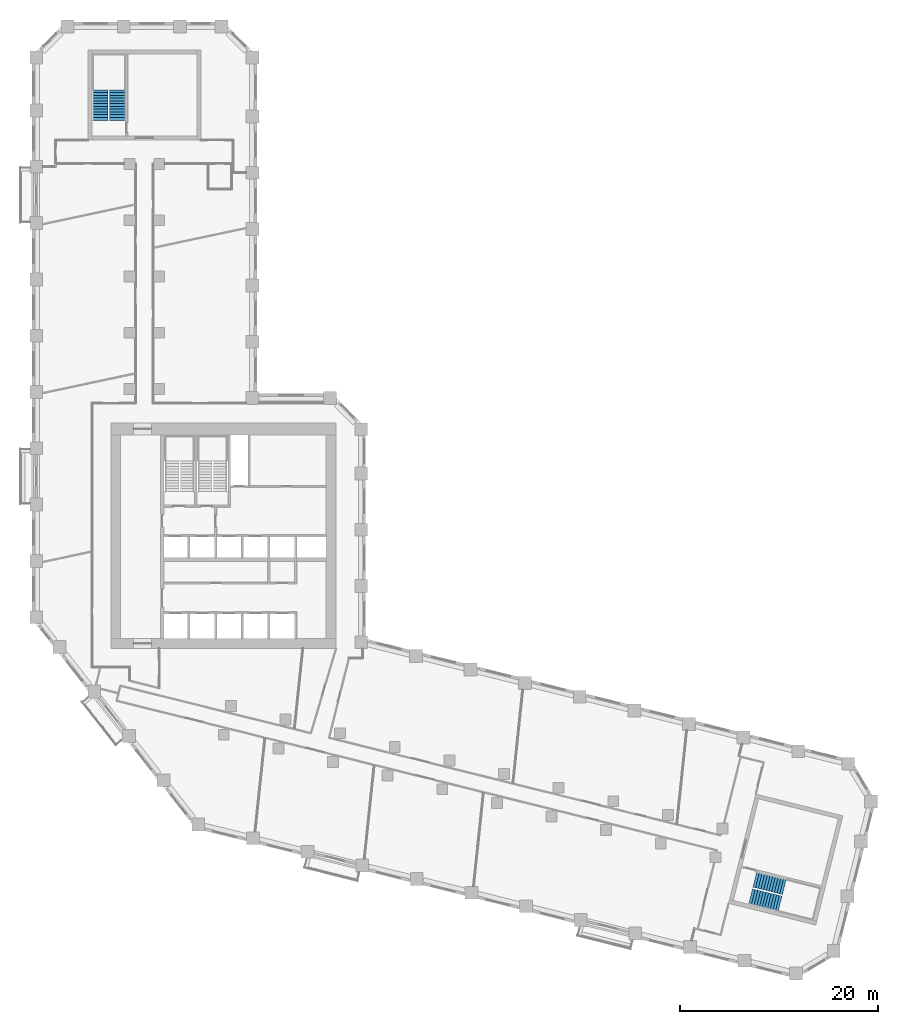
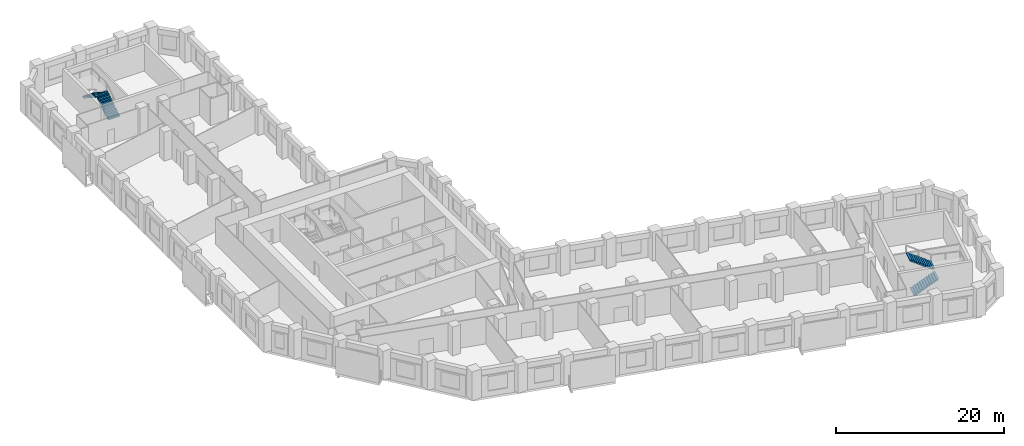
# One storey, part 10 of 11: 4 stair flights, 2 elements without a shape of their own.
"""IFC4 building model written with IfcOpenShell, lengths in metres."""

from ifc_helpers import new_model, si_unit, direction, frame, origin, place, context, subcontext, project, spatial, polyline, outline, extrude, material, type_object, element, aggregate, save


model = new_model("IFC4")

# Units and contexts
model_context = context("Model", 3, precision=1e-05, world=origin(), true_north=direction((0.0, 1.0)))
body_context = subcontext(model_context, "Body", "Model", "MODEL_VIEW")
ifc_project = project(units=[si_unit("LENGTHUNIT", "METRE"), si_unit("AREAUNIT", "SQUARE_METRE"), si_unit("VOLUMEUNIT", "CUBIC_METRE"), si_unit("PLANEANGLEUNIT", "RADIAN"), si_unit("MASSUNIT", "GRAM", prefix="KILO")], contexts=[model_context])

# Site, building, storey
site_placement = place(None, origin())
site = spatial("IfcSite", under=ifc_project, at=site_placement, CompositionType="ELEMENT")
building_placement = place(site_placement, origin())
building = spatial("IfcBuilding", under=site, at=building_placement, Name="Meshkara Civic Tower", CompositionType="ELEMENT")
storey_placement = place(building_placement, frame((0.0, 0.0, 135.0)))
storey = spatial("IfcBuildingStorey", under=building, at=storey_placement, Name="L30", CompositionType="ELEMENT", Elevation=135.0)

# Stair, stair flights
ifc_material_1 = material(Name="Precast concrete C40/50", Category="concrete")
stair_type = type_object("IfcStairType", Name="Exit stair half-turn 24 risers 1600 precast", PredefinedType="HALF_TURN_STAIR", material=ifc_material_1)
stair_1_placement = place(storey_placement, origin())
stair_1 = element("IfcStair", 1, at=stair_1_placement, inside=storey, type_object=stair_type, Name="L30 exit stair A from L20", PredefinedType="HALF_TURN_STAIR")
ifc_material_2 = material(Name="Precast concrete C40/50", Category="concrete")
stair_flight_type = type_object("IfcStairFlightType", Name="Exit stair flight 12 risers 1600 precast", PredefinedType="STRAIGHT", material=ifc_material_2)
stair_flight_1_placement = place(storey_placement, frame((8.675048828125, 67.570068359375, 0.0), z_axis=(0.0, 0.0, 1.0), x_axis=(0.0, 1.0, 0.0)))
stair_flight_1 = element("IfcStairFlight", 2, at=stair_flight_1_placement, type_object=stair_flight_type, Name="ESA2 flight 1", NumberOfRisers=12, NumberOfTreads=11, PredefinedType="STRAIGHT", RiserHeight=0.175, TreadLength=0.28, context=body_context, shape_type="SweptSolid", body=[
    extrude(outline(polyline([(0.0, 0.0), (0.0, 0.175048828125), (0.280029296875, 0.175048828125), (0.280029296875, 0.35009765625), (0.56005859375, 0.35009765625), (0.56005859375, 0.52490234375), (0.840087890625, 0.52490234375), (0.840087890625, 0.699951171875), (1.1201171875, 0.699951171875), (1.1201171875, 0.875), (1.39990234375, 0.875), (1.39990234375, 1.050048828125), (1.679931640625, 1.050048828125), (1.679931640625, 1.22509765625), (1.9599609375, 1.22509765625), (1.9599609375, 1.39990234375), (2.239990234375, 1.39990234375), (2.239990234375, 1.574951171875), (2.52001953125, 1.574951171875), (2.52001953125, 1.75), (2.800048828125, 1.75), (2.800048828125, 1.925048828125), (3.080078125, 1.925048828125), (3.080078125, 2.10009765625), (3.080078125, 1.748291015625), (0.28271484375, 0.0), (0.0, 0.0)])), frame((0.0, 0.800048828125, 0.0), z_axis=(0.0, -1.0, 0.0), x_axis=(1.0, 0.0, 0.0)), (0.0, 0.0, 1.0), 1.60009765625),
])
stair_flight_2_placement = place(storey_placement, frame((6.925048828125, 70.64990234375, 2.10009765625), z_axis=(0.0, 0.0, 1.0), x_axis=(0.0, -1.0, 0.0)))
stair_flight_2 = element("IfcStairFlight", 3, at=stair_flight_2_placement, type_object=stair_flight_type, Name="ESA2 flight 2", NumberOfRisers=12, NumberOfTreads=11, PredefinedType="STRAIGHT", RiserHeight=0.175, TreadLength=0.28, context=body_context, shape_type="SweptSolid", body=[
    extrude(outline(polyline([(0.0, 0.0), (0.0, 0.175048828125), (0.280029296875, 0.175048828125), (0.280029296875, 0.35009765625), (0.56005859375, 0.35009765625), (0.56005859375, 0.52490234375), (0.840087890625, 0.52490234375), (0.840087890625, 0.699951171875), (1.1201171875, 0.699951171875), (1.1201171875, 0.875), (1.39990234375, 0.875), (1.39990234375, 1.050048828125), (1.679931640625, 1.050048828125), (1.679931640625, 1.22509765625), (1.9599609375, 1.22509765625), (1.9599609375, 1.39990234375), (2.239990234375, 1.39990234375), (2.239990234375, 1.574951171875), (2.52001953125, 1.574951171875), (2.52001953125, 1.75), (2.800048828125, 1.75), (2.800048828125, 1.925048828125), (3.080078125, 1.925048828125), (3.080078125, 2.10009765625), (3.080078125, 1.748291015625), (0.28271484375, 0.0), (0.0, 0.0)])), frame((0.0, 0.800048828125, 0.0), z_axis=(0.0, -1.0, 0.0), x_axis=(1.0, 0.0, 0.0)), (0.0, 0.0, 1.0), 1.60009765625),
])
aggregate(stair_1, [stair_flight_1, stair_flight_2])

stair_2_placement = place(storey_placement, origin())
stair_2 = element("IfcStair", 4, at=stair_2_placement, inside=storey, type_object=stair_type, Name="L30 exit stair B from L20", PredefinedType="HALF_TURN_STAIR")
stair_flight_3_placement = place(storey_placement, frame((72.7685546875, -11.00634765625, 0.0), z_axis=(0.0, 0.0, 1.0), x_axis=(0.970260066579, -0.242064873955, 0.0)))
stair_flight_3 = element("IfcStairFlight", 5, at=stair_flight_3_placement, type_object=stair_flight_type, Name="ESB2 flight 1", NumberOfRisers=12, NumberOfTreads=11, PredefinedType="STRAIGHT", RiserHeight=0.175, TreadLength=0.28, context=body_context, shape_type="SweptSolid", body=[
    extrude(outline(polyline([(0.0, 0.0), (0.0, 0.175048828125), (0.280029296875, 0.175048828125), (0.280029296875, 0.35009765625), (0.56005859375, 0.35009765625), (0.56005859375, 0.52490234375), (0.840087890625, 0.52490234375), (0.840087890625, 0.699951171875), (1.1201171875, 0.699951171875), (1.1201171875, 0.875), (1.39990234375, 0.875), (1.39990234375, 1.050048828125), (1.679931640625, 1.050048828125), (1.679931640625, 1.22509765625), (1.9599609375, 1.22509765625), (1.9599609375, 1.39990234375), (2.239990234375, 1.39990234375), (2.239990234375, 1.574951171875), (2.52001953125, 1.574951171875), (2.52001953125, 1.75), (2.800048828125, 1.75), (2.800048828125, 1.925048828125), (3.080078125, 1.925048828125), (3.080078125, 2.10009765625), (3.080078125, 1.748291015625), (0.28271484375, 0.0), (0.0, 0.0)])), frame((0.0, 0.800048828125, 0.0), z_axis=(0.0, -1.0, 0.0), x_axis=(1.0, 0.0, 0.0)), (0.0, 0.0, 1.0), 1.60009765625),
])
stair_flight_4_placement = place(storey_placement, frame((76.1806640625, -10.053955078125, 2.10009765625), z_axis=(0.0, 0.0, 1.0), x_axis=(-0.970260066579, 0.242064873955, 0.0)))
stair_flight_4 = element("IfcStairFlight", 6, at=stair_flight_4_placement, type_object=stair_flight_type, Name="ESB2 flight 2", NumberOfRisers=12, NumberOfTreads=11, PredefinedType="STRAIGHT", RiserHeight=0.175, TreadLength=0.28, context=body_context, shape_type="SweptSolid", body=[
    extrude(outline(polyline([(0.0, 0.0), (0.0, 0.175048828125), (0.280029296875, 0.175048828125), (0.280029296875, 0.35009765625), (0.56005859375, 0.35009765625), (0.56005859375, 0.52490234375), (0.840087890625, 0.52490234375), (0.840087890625, 0.699951171875), (1.1201171875, 0.699951171875), (1.1201171875, 0.875), (1.39990234375, 0.875), (1.39990234375, 1.050048828125), (1.679931640625, 1.050048828125), (1.679931640625, 1.22509765625), (1.9599609375, 1.22509765625), (1.9599609375, 1.39990234375), (2.239990234375, 1.39990234375), (2.239990234375, 1.574951171875), (2.52001953125, 1.574951171875), (2.52001953125, 1.75), (2.800048828125, 1.75), (2.800048828125, 1.925048828125), (3.080078125, 1.925048828125), (3.080078125, 2.10009765625), (3.080078125, 1.748291015625), (0.28271484375, 0.0), (0.0, 0.0)])), frame((0.0, 0.800048828125, 0.0), z_axis=(0.0, -1.0, 0.0), x_axis=(1.0, 0.0, 0.0)), (0.0, 0.0, 1.0), 1.60009765625),
])
aggregate(stair_2, [stair_flight_3, stair_flight_4])

save(model, "model.ifc")
